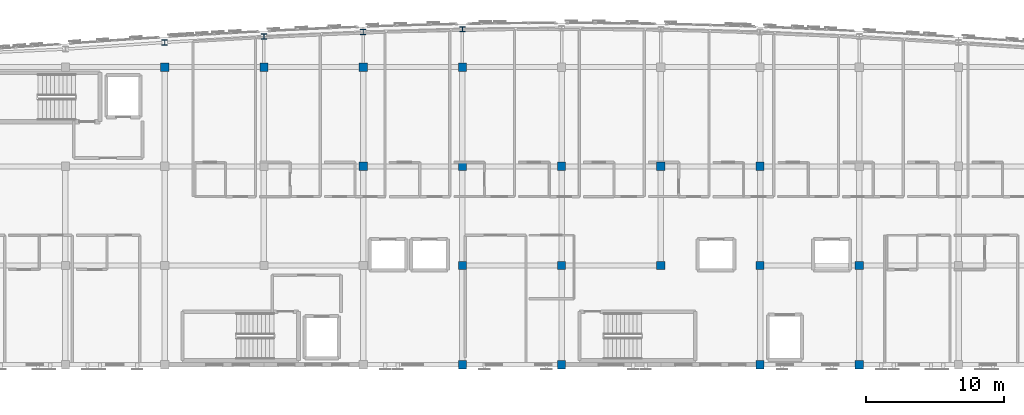
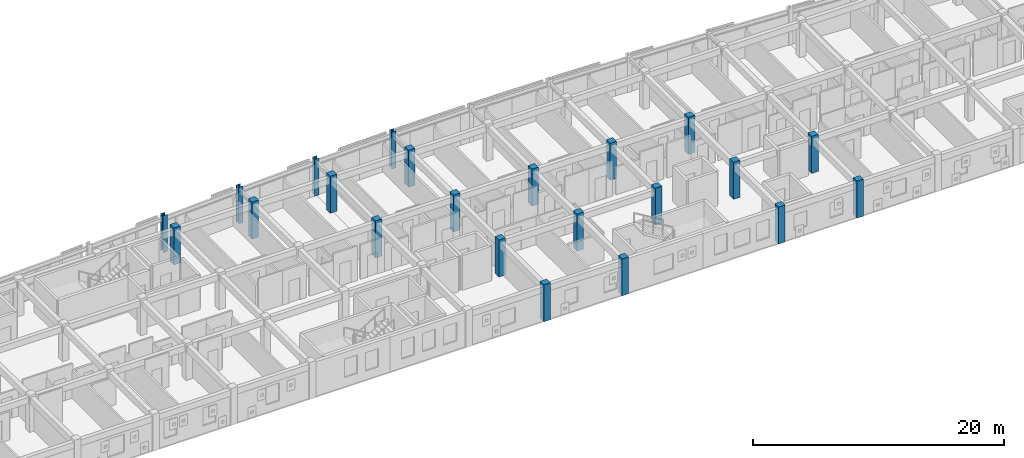
# One storey, part 2 of 45: 22 columns.
"""IFC4 building model written with IfcOpenShell, lengths in metres."""

from ifc_helpers import new_model, si_unit, direction, frame, origin, origin_2d, place, context, subcontext, project, spatial, rectangle, i_section, extrude, material, material_profile, profile_set, type_object, element, save


model = new_model("IFC4")

# Units and contexts
model_context = context("Model", 3, precision=1e-05, world=origin(), true_north=direction((0.0, 1.0)))
body_context = subcontext(model_context, "Body", "Model", "MODEL_VIEW")
ifc_project = project(units=[si_unit("LENGTHUNIT", "METRE"), si_unit("AREAUNIT", "SQUARE_METRE"), si_unit("VOLUMEUNIT", "CUBIC_METRE"), si_unit("PLANEANGLEUNIT", "RADIAN"), si_unit("MASSUNIT", "GRAM", prefix="KILO")], contexts=[model_context])

# Site, building, storey
site_placement = place(None, origin())
site = spatial("IfcSite", under=ifc_project, at=site_placement, CompositionType="ELEMENT")
building_placement = place(site_placement, origin())
building = spatial("IfcBuilding", under=site, at=building_placement, Name="Carrowvane Square Congress Hotel", CompositionType="ELEMENT")
storey_placement = place(building_placement, frame((0.0, 0.0, 33.60009765625)))
storey = spatial("IfcBuildingStorey", under=building, at=storey_placement, Name="L08", CompositionType="ELEMENT", Elevation=33.60009765625)

# Columns
ifc_material_1 = material(Name="Concrete C40/50", Category="concrete")
ifc_material_profile_1 = material_profile(ifc_material_1, rectangle(XDim=0.60009765625, YDim=0.60009765625, at=origin_2d()), Name="RC 600x600")
ifc_profile_set_1 = profile_set([ifc_material_profile_1], Name="Concrete C40/50")
column_type_1 = type_object("IfcColumnType", Name="COL-RC-600", PredefinedType="COLUMN", material=ifc_profile_set_1)
for number, where, z_axis, x_axis, name in (
    (1, (69.199951171875, 113.39990234375, 0.0), (0.0, 0.0, 1.0), (1.0, 0.0, 0.0), "L08 column 9/R"),
    (2, (76.39990234375, 113.39990234375, 0.0), (0.0, 0.0, 1.0), (1.0, 0.0, 0.0), "L08 column 10/R"),
    (3, (83.60009765625, 106.199951171875, 0.0), (0.0, 0.0, 1.0), (1.0, 0.0, 0.0), "L08 column 11/Q"),
    (4, (83.60009765625, 113.39990234375, 0.0), (0.0, 0.0, 1.0), (1.0, 0.0, 0.0), "L08 column 11/R"),
    (5, (90.800048828125, 91.800048828125, 0.0), (0.0, 0.0, 1.0), (1.0, 0.0, 0.0), "L08 column 12/N"),
    (6, (90.800048828125, 99.0, 0.0), (0.0, 0.0, 1.0), (1.0, 0.0, 0.0), "L08 column 12/P"),
    (7, (90.800048828125, 106.199951171875, 0.0), (0.0, 0.0, 1.0), (1.0, 0.0, 0.0), "L08 column 12/Q"),
    (8, (90.800048828125, 113.39990234375, 0.0), (0.0, 0.0, 1.0), (1.0, 0.0, 0.0), "L08 column 12/R"),
    (9, (98.0, 91.800048828125, 0.0), (0.0, 0.0, 1.0), (1.0, 0.0, 0.0), "L08 column 13/N"),
    (10, (98.0, 99.0, 0.0), (0.0, 0.0, 1.0), (1.0, 0.0, 0.0), "L08 column 13/P"),
    (11, (98.0, 106.199951171875, 0.0), (0.0, 0.0, 1.0), (1.0, 0.0, 0.0), "L08 column 13/Q"),
    (12, (105.199951171875, 99.0, 0.0), (0.0, 0.0, 1.0), (1.0, 0.0, 0.0), "L08 column 14/P"),
    (13, (105.199951171875, 106.199951171875, 0.0), (0.0, 0.0, 1.0), (1.0, 0.0, 0.0), "L08 column 14/Q"),
    (14, (112.39990234375, 91.800048828125, 0.0), (0.0, 0.0, 1.0), (1.0, 0.0, 0.0), "L08 column 15/N"),
    (15, (112.39990234375, 99.0, 0.0), (0.0, 0.0, 1.0), (1.0, 0.0, 0.0), "L08 column 15/P"),
    (16, (112.39990234375, 106.199951171875, 0.0), (0.0, 0.0, 1.0), (1.0, 0.0, 0.0), "L08 column 15/Q"),
    (17, (119.60009765625, 91.800048828125, 0.0), (0.0, 0.0, 1.0), (1.0, 0.0, 0.0), "L08 column 16/N"),
    (18, (119.60009765625, 99.0, 0.0), (0.0, 0.0, 1.0), (1.0, 0.0, 0.0), "L08 column 16/P"),
):
    element("IfcColumn", number, at=place(storey_placement, frame(where, z_axis=z_axis, x_axis=x_axis)), inside=storey, type_object=column_type_1, Name=name, PredefinedType="COLUMN", context=body_context, shape_type="SweptSolid", body=[
        extrude(rectangle(XDim=0.60009765625, YDim=0.60009765625, at=origin_2d()), origin(), (0.0, 0.0, 1.0), 3.599853515625),
    ])
ifc_material_2 = material(Name="Steel S355", Category="steel")
ifc_material_profile_2 = material_profile(ifc_material_2, i_section(OverallWidth=0.394775390625, OverallDepth=0.381103515625, WebThickness=0.018310546875, FlangeThickness=0.0302734375, FilletRadius=0.01513671875, at=origin_2d()), Name="UKC 356x406x235")
ifc_profile_set_2 = profile_set([ifc_material_profile_2], Name="Steel S355")
column_type_2 = type_object("IfcColumnType", Name="COL-ST-UKC406", PredefinedType="COLUMN", material=ifc_profile_set_2)
for number, where, z_axis, x_axis, name in (
    (19, (69.199951171875, 115.1943359375, 0.0), (0.0, 0.0, 1.0), (1.0, 0.0, 0.0), "L08 column 9/ARC"),
    (20, (76.39990234375, 115.61767578125, 0.0), (0.0, 0.0, 1.0), (1.0, 0.0, 0.0), "L08 column 10/ARC"),
    (21, (83.60009765625, 115.944091796875, 0.0), (0.0, 0.0, 1.0), (1.0, 0.0, 0.0), "L08 column 11/ARC"),
    (22, (90.800048828125, 116.14990234375, 0.0), (0.0, 0.0, 1.0), (1.0, 0.0, 0.0), "L08 column 12/ARC"),
):
    element("IfcColumn", number, at=place(storey_placement, frame(where, z_axis=z_axis, x_axis=x_axis)), inside=storey, type_object=column_type_2, Name=name, PredefinedType="COLUMN", context=body_context, shape_type="SweptSolid", body=[
        extrude(i_section(OverallWidth=0.394775390625, OverallDepth=0.381103515625, WebThickness=0.018310546875, FlangeThickness=0.0302734375, FilletRadius=0.01513671875, at=origin_2d()), origin(), (0.0, 0.0, 1.0), 3.599853515625),
    ])

save(model, "model.ifc")
